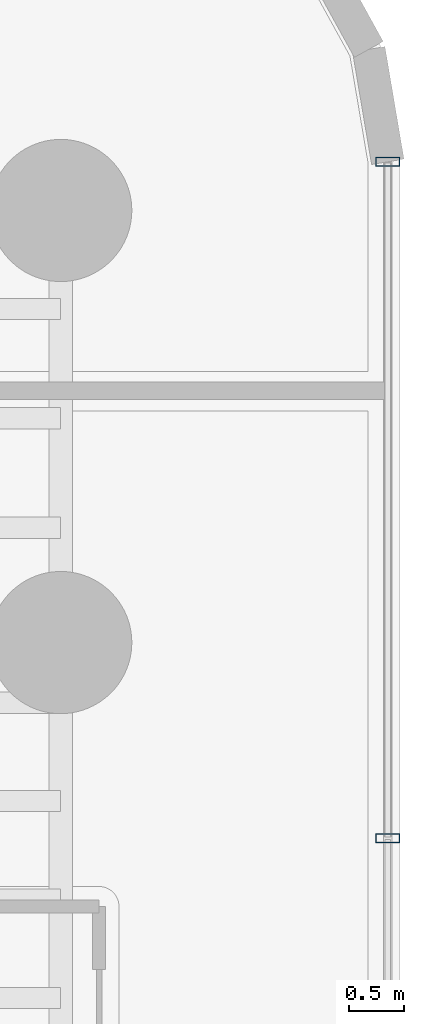
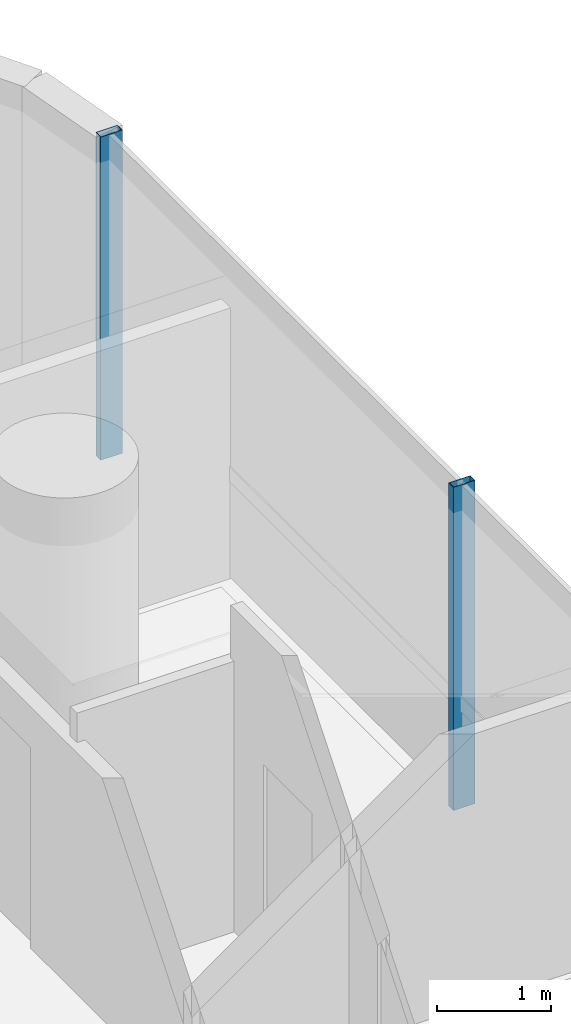
# One storey, part 27 of 40: 2 members, 1 element without a shape of its own.
"""IFC4 building model written with IfcOpenShell, lengths in metres."""

from ifc_helpers import new_model, si_unit, direction, frame, origin, origin_2d, place, context, subcontext, project, spatial, hollow_rectangle, extrude, source, transform, mapped, material, material_profile, profile_set, type_object, element, aggregate, save


model = new_model("IFC4")

# Units and contexts
model_context = context("Model", 3, precision=1e-05, world=origin(), true_north=direction((0.0, 1.0)))
body_context = subcontext(model_context, "Body", "Model", "MODEL_VIEW")
ifc_project = project(units=[si_unit("LENGTHUNIT", "METRE"), si_unit("AREAUNIT", "SQUARE_METRE"), si_unit("VOLUMEUNIT", "CUBIC_METRE"), si_unit("PLANEANGLEUNIT", "RADIAN"), si_unit("MASSUNIT", "GRAM", prefix="KILO")], contexts=[model_context])

# Site, building, storey
site_placement = place(None, origin())
site = spatial("IfcSite", under=ifc_project, at=site_placement, CompositionType="ELEMENT")
building_placement = place(site_placement, origin())
building = spatial("IfcBuilding", under=site, at=building_placement, Name="Valdorenza Pilgrim Sanctuary Tower", CompositionType="ELEMENT")
storey_placement = place(building_placement, frame((0.0, 0.0, 66.699951171875)))
storey = spatial("IfcBuildingStorey", under=building, at=storey_placement, Name="L16", CompositionType="ELEMENT", Elevation=66.699951171875)

# Curtain wall, members
ifc_material_1 = material(Name="Curtain-wall IGU glazing", Category="glass")
curtain_wall_type = type_object("IfcCurtainWallType", Name="CW-SYS-03", PredefinedType="NOTDEFINED", material=ifc_material_1)
curtain_wall_placement = place(storey_placement, origin())
curtain_wall = element("IfcCurtainWall", 1, at=curtain_wall_placement, inside=storey, type_object=curtain_wall_type, Name="L16 Curtain Wall CW-L16-1-21", PredefinedType="NOTDEFINED")
ifc_material_2 = material(Name="Anodised aluminium AW-6060", Category="aluminium")
ifc_material_profile = material_profile(ifc_material_2, hollow_rectangle(XDim=0.0849609375, YDim=0.219970703125, WallThickness=0.0048828125, at=origin_2d()), Name="ALU-M 220x85x5")
ifc_profile_set = profile_set([ifc_material_profile], Name="Anodised aluminium AW-6060")
member_type = type_object("IfcMemberType", Name="CW-MUL-03", PredefinedType="MULLION", material=ifc_profile_set)
shared_shape = source(origin(), body_context, "Body", "SweptSolid", [
    extrude(hollow_rectangle(XDim=0.0849609375, YDim=0.219970703125, WallThickness=0.0048828125, at=origin_2d()), origin(), (0.0, 0.0, 1.0), 3.4599609375),
])
member_1_placement = place(storey_placement, frame((31.389892578125, 13.945068359375, 0.0), z_axis=(0.0, 0.0, 1.0), x_axis=(0.0, -1.0, 0.0)))
member_1 = element("IfcMember", 2, at=member_1_placement, type_object=member_type, Name="CW-L16-1-21 Mullion 1", PredefinedType="MULLION", context=body_context, shape_type="MappedRepresentation", body=[
    mapped(shared_shape, transform((0.0, 0.0, 0.0), x_axis=(1.0, 0.0, 0.0), y_axis=(0.0, 1.0, 0.0), z_axis=(0.0, 0.0, 1.0), scale=1.0)),
])
member_2_placement = place(storey_placement, frame((31.389892578125, 7.761474609375, 0.0), z_axis=(0.0, 0.0, 1.0), x_axis=(0.0, -1.0, 0.0)))
member_2 = element("IfcMember", 3, at=member_2_placement, type_object=member_type, Name="CW-L16-1-21 Mullion 2", PredefinedType="MULLION", context=body_context, shape_type="MappedRepresentation", body=[
    mapped(shared_shape, transform((0.0, 0.0, 0.0), x_axis=(1.0, 0.0, 0.0), y_axis=(0.0, 1.0, 0.0), z_axis=(0.0, 0.0, 1.0), scale=1.0)),
])
aggregate(curtain_wall, [member_1, member_2])

save(model, "model.ifc")
